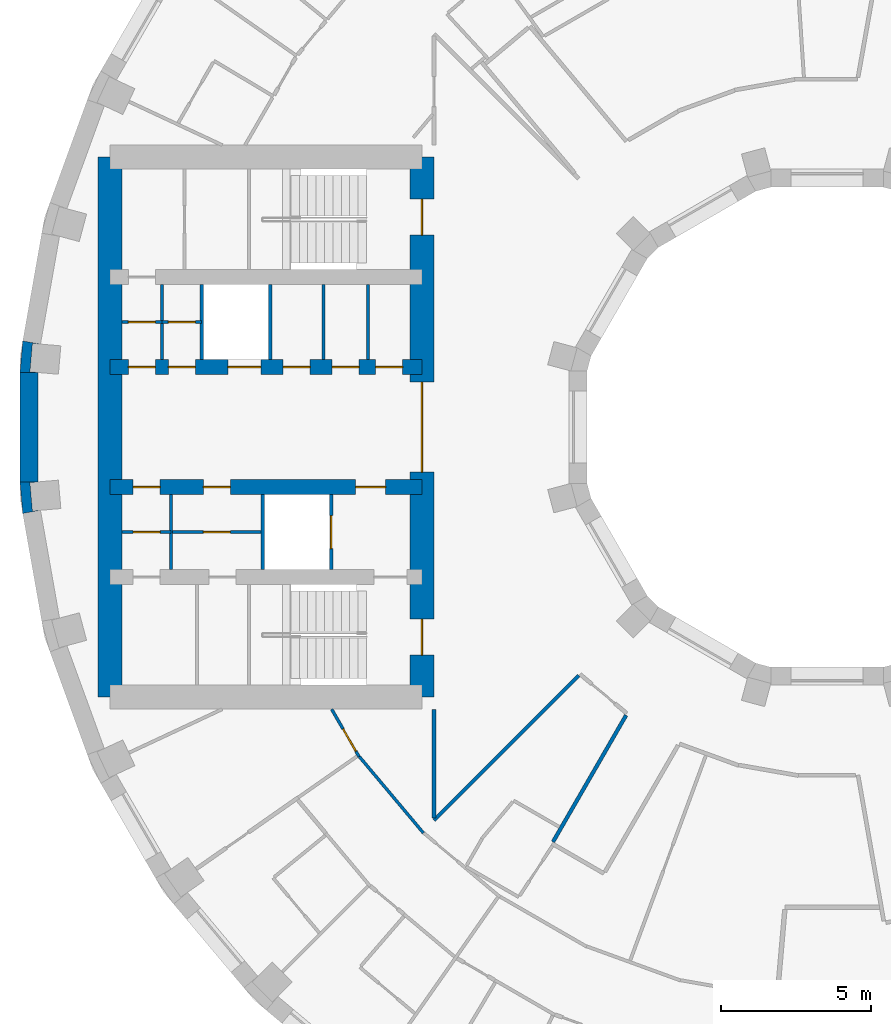
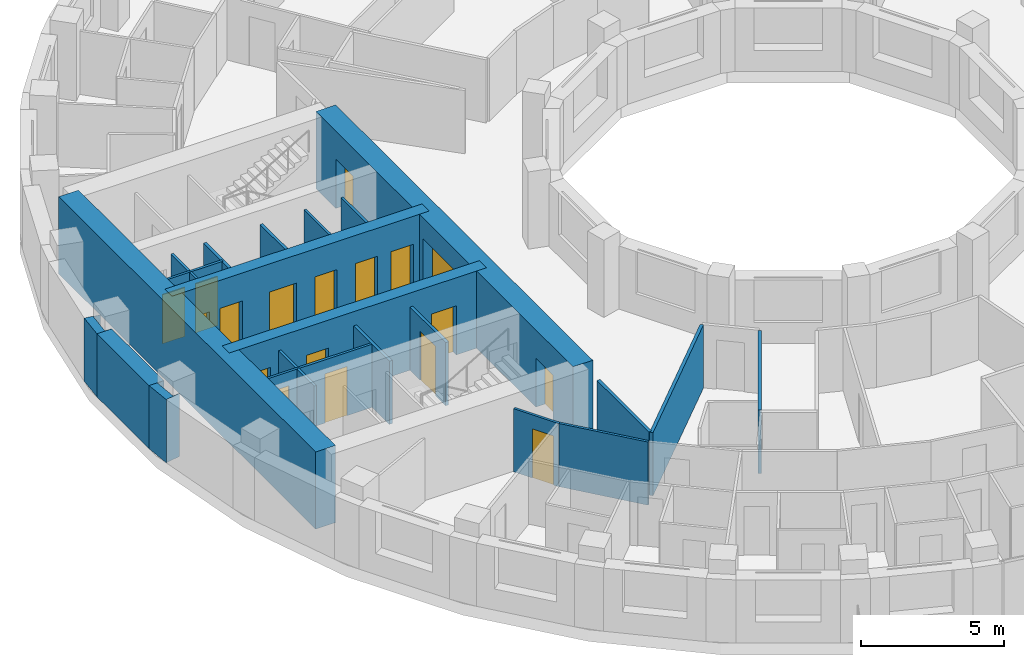
# One storey, part 7 of 16: 24 walls, 18 doors, 18 openings.
"""IFC4 building model written with IfcOpenShell, lengths in metres."""

from ifc_helpers import new_model, si_unit, direction, frame, frame_2d, origin, place, context, subcontext, project, spatial, polyline, rectangle, outline, extrude, material, layer, layer_set, type_object, element, fill, save


model = new_model("IFC4")

# Units and contexts
model_context = context("Model", 3, precision=1e-05, world=origin(), true_north=direction((0.0, 1.0)))
body_context = subcontext(model_context, "Body", "Model", "MODEL_VIEW")
ifc_project = project(units=[si_unit("LENGTHUNIT", "METRE"), si_unit("AREAUNIT", "SQUARE_METRE"), si_unit("VOLUMEUNIT", "CUBIC_METRE"), si_unit("PLANEANGLEUNIT", "RADIAN"), si_unit("MASSUNIT", "GRAM", prefix="KILO")], contexts=[model_context])

# Site, building, storey
site_placement = place(None, origin())
site = spatial("IfcSite", under=ifc_project, at=site_placement, CompositionType="ELEMENT")
building_placement = place(site_placement, origin())
building = spatial("IfcBuilding", under=site, at=building_placement, Name="Saqina Gate Tower", CompositionType="ELEMENT")
storey_placement = place(building_placement, frame((0.0, 0.0, 148.0)))
storey = spatial("IfcBuildingStorey", under=building, at=storey_placement, Name="L42", CompositionType="ELEMENT", Elevation=148.0)

# Walls
ifc_material_1 = material(Name="Brick masonry (buff)", Category="masonry")
wall_type_1 = type_object("IfcWallType", Name="BRICK PIER COPING BUFF", PredefinedType="SOLIDWALL", material=ifc_material_1)
wall_1_placement = place(storey_placement, origin())
element("IfcWall", 1, at=wall_1_placement, inside=storey, type_object=wall_type_1, Name="Pier cap L42 column 18", PredefinedType="SOLIDWALL", context=body_context, shape_type="SweptSolid", body=[
    extrude(outline(polyline([(-26.805419921875, 2.87451171875), (-26.897216796875, 1.823974609375), (-26.29736328125, 1.823974609375), (-26.565185546875, 1.847412109375), (-26.482421875, 2.793701171875), (-26.214599609375, 2.770263671875), (-26.805419921875, 2.87451171875)])), origin(), (0.0, 0.0, 1.0), 2.699951171875),
])
wall_2_placement = place(storey_placement, origin())
element("IfcWall", 2, at=wall_2_placement, inside=storey, type_object=wall_type_1, Name="Pier cap L42 column 19", PredefinedType="SOLIDWALL", context=body_context, shape_type="SweptSolid", body=[
    extrude(outline(polyline([(-26.805419921875, -2.87451171875), (-26.214599609375, -2.770263671875), (-26.482421875, -2.793701171875), (-26.565185546875, -1.847412109375), (-26.29736328125, -1.823974609375), (-26.897216796875, -1.823974609375), (-26.805419921875, -2.87451171875)])), origin(), (0.0, 0.0, 1.0), 2.699951171875),
])
ifc_material_2 = material(Name="Gypsum board on steel studs", Category="steel")
ifc_layer_1 = layer(ifc_material_2, 0.10009765625)
ifc_layer_set_1 = layer_set([ifc_layer_1], Name="CORE PARTITION")
wall_type_2 = type_object("IfcWallType", Name="CORE PARTITION", PredefinedType="PARTITIONING", material=ifc_layer_set_1)
for number, where, z_axis, x_axis, name in (
    (3, (-15.298095703125, 2.25, 0.0), (0.0, 0.0, 1.0), (0.0, 1.0, 0.0), "L42-CP-W01"),
    (4, (-16.789306640625, 2.25, 0.0), (0.0, 0.0, 1.0), (0.0, 1.0, 0.0), "L42-CP-W02"),
    (5, (-22.169921875, 2.25, 0.0), (0.0, 0.0, 1.0), (0.0, 1.0, 0.0), "L42-CP-W05"),
    (6, (-21.8583984375, -4.75, 0.0), (0.0, 0.0, 1.0), (0.0, 1.0, 0.0), "L42-CP-W08"),
):
    element("IfcWall", number, at=place(storey_placement, frame(where, z_axis=z_axis, x_axis=x_axis)), inside=storey, type_object=wall_type_2, Name=name, PredefinedType="PARTITIONING", context=body_context, shape_type="SweptSolid", body=[
        extrude(rectangle(XDim=2.5, YDim=0.10009765625, at=frame_2d((1.25, 0.0))), origin(), (0.0, 0.0, 1.0), 2.699951171875),
    ])

# Wall, opening, door
wall_3_placement = place(storey_placement, frame((-20.840087890625, 3.5, 0.0), z_axis=(0.0, 0.0, 1.0), x_axis=(-1.0, 0.0, 0.0)))
wall_3 = element("IfcWall", 7, at=wall_3_placement, inside=storey, type_object=wall_type_2, Name="L42-CP-W09", PredefinedType="PARTITIONING", context=body_context, shape_type="SweptSolid", body=[
    extrude(rectangle(XDim=1.329833984375, YDim=0.10009765625, at=frame_2d((0.6650390625, 0.0))), origin(), (0.0, 0.0, 1.0), 2.699951171875),
])
opening_1_placement = place(wall_3_placement, frame((0.215087890625, 0.0, 0.0)))
opening_1 = element("IfcOpeningElement", 8, at=opening_1_placement, cuts=wall_3, Name="Opening G12-D119", PredefinedType="OPENING", context=body_context, shape_type="SweptSolid", body=[
    extrude(rectangle(XDim=0.89990234375, YDim=2.10009765625, at=frame_2d((0.449951171875, 1.050048828125))), frame((0.0, 0.06201171875, 0.0), z_axis=(0.0, -1.0, 0.0), x_axis=(1.0, 0.0, 0.0)), (0.0, 0.0, 1.0), 0.1240234375),
])
ifc_material_3 = material(Name="Steel-framed fire door leaf, EI 60", Category="steel")
door_type_1 = type_object("IfcDoorType", Name="SERVICE ROOM DOOR 900", OperationType="SINGLE_SWING_LEFT", PredefinedType="DOOR", material=ifc_material_3)
door_1_placement = place(opening_1_placement, frame((0.89990234375, 0.0, 0.0), z_axis=(0.0, 0.0, 1.0), x_axis=(-1.0, 0.0, 0.0)))
door_1 = element("IfcDoor", 9, at=door_1_placement, inside=storey, type_object=door_type_1, Name="L42-CD-W30", OperationType="SINGLE_SWING_RIGHT", OverallHeight=2.10009765625, OverallWidth=0.89990234375, PredefinedType="DOOR", context=body_context, shape_type="SweptSolid", body=[
    extrude(rectangle(XDim=0.89990234375, YDim=2.10009765625, at=frame_2d((0.449951171875, 1.050048828125))), frame((0.0, 0.02490234375, 0.0), z_axis=(0.0, -1.0, 0.0), x_axis=(1.0, 0.0, 0.0)), (0.0, 0.0, 1.0), 0.050048828125),
])
fill(opening_1, door_1)

wall_4_placement = place(storey_placement, frame((-22.169921875, 3.5, 0.0), z_axis=(0.0, 0.0, 1.0), x_axis=(-1.0, 0.0, 0.0)))
wall_4 = element("IfcWall", 10, at=wall_4_placement, inside=storey, type_object=wall_type_2, Name="L42-CP-W10", PredefinedType="PARTITIONING", context=body_context, shape_type="SweptSolid", body=[
    extrude(rectangle(XDim=1.330078125, YDim=0.10009765625, at=frame_2d((0.6650390625, 0.0))), origin(), (0.0, 0.0, 1.0), 2.699951171875),
])
opening_2_placement = place(wall_4_placement, frame((0.215087890625, 0.0, 0.0)))
opening_2 = element("IfcOpeningElement", 11, at=opening_2_placement, cuts=wall_4, Name="Opening G12-D118", PredefinedType="OPENING", context=body_context, shape_type="SweptSolid", body=[
    extrude(rectangle(XDim=0.89990234375, YDim=2.10009765625, at=frame_2d((0.449951171875, 1.050048828125))), frame((0.0, 0.06201171875, 0.0), z_axis=(0.0, -1.0, 0.0), x_axis=(1.0, 0.0, 0.0)), (0.0, 0.0, 1.0), 0.1240234375),
])
door_2_placement = place(opening_2_placement, frame((0.89990234375, 0.0, 0.0), z_axis=(0.0, 0.0, 1.0), x_axis=(-1.0, 0.0, 0.0)))
door_2 = element("IfcDoor", 12, at=door_2_placement, inside=storey, type_object=door_type_1, Name="L42-CD-W29", OperationType="SINGLE_SWING_LEFT", OverallHeight=2.10009765625, OverallWidth=0.89990234375, PredefinedType="DOOR", context=body_context, shape_type="SweptSolid", body=[
    extrude(rectangle(XDim=0.89990234375, YDim=2.10009765625, at=frame_2d((0.449951171875, 1.050048828125))), frame((0.0, 0.02490234375, 0.0), z_axis=(0.0, -1.0, 0.0), x_axis=(1.0, 0.0, 0.0)), (0.0, 0.0, 1.0), 0.050048828125),
])
fill(opening_2, door_2)

wall_5_placement = place(storey_placement, frame((-18.81005859375, -3.5, 0.0), z_axis=(0.0, 0.0, 1.0), x_axis=(-1.0, 0.0, 0.0)))
wall_5 = element("IfcWall", 13, at=wall_5_placement, inside=storey, type_object=wall_type_2, Name="L42-CP-W11", PredefinedType="PARTITIONING", context=body_context, shape_type="SweptSolid", body=[
    extrude(rectangle(XDim=3.04833984375, YDim=0.10009765625, at=frame_2d((1.524169921875, 0.0))), origin(), (0.0, 0.0, 1.0), 2.699951171875),
])
opening_3_placement = place(wall_5_placement, frame((1.07421875, 0.0, 0.0)))
opening_3 = element("IfcOpeningElement", 14, at=opening_3_placement, cuts=wall_5, Name="Opening G12-D123", PredefinedType="OPENING", context=body_context, shape_type="SweptSolid", body=[
    extrude(rectangle(XDim=0.89990234375, YDim=2.10009765625, at=frame_2d((0.449951171875, 1.050048828125))), frame((0.0, 0.06201171875, 0.0), z_axis=(0.0, -1.0, 0.0), x_axis=(1.0, 0.0, 0.0)), (0.0, 0.0, 1.0), 0.1240234375),
])
door_3_placement = place(opening_3_placement, origin())
door_3 = element("IfcDoor", 15, at=door_3_placement, inside=storey, type_object=door_type_1, Name="L42-CD-W34", OperationType="SINGLE_SWING_LEFT", OverallHeight=2.10009765625, OverallWidth=0.89990234375, PredefinedType="DOOR", context=body_context, shape_type="SweptSolid", body=[
    extrude(rectangle(XDim=0.89990234375, YDim=2.10009765625, at=frame_2d((0.449951171875, 1.050048828125))), frame((0.0, 0.02490234375, 0.0), z_axis=(0.0, -1.0, 0.0), x_axis=(1.0, 0.0, 0.0)), (0.0, 0.0, 1.0), 0.050048828125),
])
fill(opening_3, door_3)

wall_6_placement = place(storey_placement, frame((-21.8583984375, -3.5, 0.0), z_axis=(0.0, 0.0, 1.0), x_axis=(-1.0, 0.0, 0.0)))
wall_6 = element("IfcWall", 16, at=wall_6_placement, inside=storey, type_object=wall_type_2, Name="L42-CP-W12", PredefinedType="PARTITIONING", context=body_context, shape_type="SweptSolid", body=[
    extrude(rectangle(XDim=1.6416015625, YDim=0.10009765625, at=frame_2d((0.82080078125, 0.0))), origin(), (0.0, 0.0, 1.0), 2.699951171875),
])
opening_4_placement = place(wall_6_placement, frame((0.370849609375, 0.0, 0.0)))
opening_4 = element("IfcOpeningElement", 17, at=opening_4_placement, cuts=wall_6, Name="Opening G12-D122", PredefinedType="OPENING", context=body_context, shape_type="SweptSolid", body=[
    extrude(rectangle(XDim=0.89990234375, YDim=2.10009765625, at=frame_2d((0.449951171875, 1.050048828125))), frame((0.0, 0.06201171875, 0.0), z_axis=(0.0, -1.0, 0.0), x_axis=(1.0, 0.0, 0.0)), (0.0, 0.0, 1.0), 0.1240234375),
])
door_4_placement = place(opening_4_placement, origin())
door_4 = element("IfcDoor", 18, at=door_4_placement, inside=storey, type_object=door_type_1, Name="L42-CD-W33", OperationType="SINGLE_SWING_RIGHT", OverallHeight=2.10009765625, OverallWidth=0.89990234375, PredefinedType="DOOR", context=body_context, shape_type="SweptSolid", body=[
    extrude(rectangle(XDim=0.89990234375, YDim=2.10009765625, at=frame_2d((0.449951171875, 1.050048828125))), frame((0.0, 0.02490234375, 0.0), z_axis=(0.0, -1.0, 0.0), x_axis=(1.0, 0.0, 0.0)), (0.0, 0.0, 1.0), 0.050048828125),
])
fill(opening_4, door_4)

# Wall
ifc_material_4 = material(Name="Glazed ceramic tile (white)", Category="ceramic")
ifc_layer_2 = layer(ifc_material_4, 0.60009765625)
ifc_layer_set_2 = layer_set([ifc_layer_2], Name="FW-TILE-WH")
wall_type_3 = type_object("IfcWallType", Name="FW-TILE-WH", PredefinedType="SOLIDWALL", material=ifc_layer_set_2)
wall_7_placement = place(storey_placement, frame((-26.59716796875, 1.823974609375, 0.0), z_axis=(0.0, 0.0, 1.0), x_axis=(0.0, -1.0, 0.0)))
element("IfcWall", 19, at=wall_7_placement, inside=storey, type_object=wall_type_3, Name="Facade wall L42 facet 18", PredefinedType="SOLIDWALL", context=body_context, shape_type="SweptSolid", body=[
    extrude(rectangle(XDim=3.64794921875, YDim=0.60009765625, at=frame_2d((1.823974609375, 0.0))), origin(), (0.0, 0.0, 1.0), 2.699951171875),
])

# Wall, opening, door
ifc_material_5 = material(Name="Gypsum board on steel studs, 100 mm", Category="steel")
ifc_layer_3 = layer(ifc_material_5, 0.10009765625)
ifc_layer_set_3 = layer_set([ifc_layer_3], Name="PARTITION 100")
wall_type_4 = type_object("IfcWallType", Name="PARTITION 100", PredefinedType="PARTITIONING", material=ifc_layer_set_3)
wall_8_placement = place(storey_placement, frame((-16.510009765625, -9.39990234375, 0.0), z_axis=(0.0, 0.0, 1.0), x_axis=(0.499745582535, -0.866172241957, 0.0)))
wall_8 = element("IfcWall", 20, at=wall_8_placement, inside=storey, type_object=wall_type_4, Name="PARTITION PW3-11", PredefinedType="PARTITIONING", context=body_context, shape_type="SweptSolid", body=[
    extrude(rectangle(XDim=1.82763671875, YDim=0.10009765625, at=frame_2d((0.913818359375, 0.0))), origin(), (0.0, 0.0, 1.0), 2.699951171875),
])
opening_5_placement = place(wall_8_placement, frame((0.763427734375, 0.0, 0.0)))
opening_5 = element("IfcOpeningElement", 21, at=opening_5_placement, cuts=wall_8, Name="Opening G12-D32", PredefinedType="OPENING", context=body_context, shape_type="SweptSolid", body=[
    extrude(rectangle(XDim=0.85009765625, YDim=2.10009765625, at=frame_2d((0.425048828125, 1.050048828125))), frame((0.0, 0.06201171875, 0.0), z_axis=(0.0, -1.0, 0.0), x_axis=(1.0, 0.0, 0.0)), (0.0, 0.0, 1.0), 0.1240234375),
])
ifc_material_6 = material(Name="Timber door leaf, 850 mm", Category="wood")
door_type_2 = type_object("IfcDoorType", Name="DOOR 850 TIMBER", OperationType="SINGLE_SWING_LEFT", PredefinedType="DOOR", material=ifc_material_6)
door_5_placement = place(opening_5_placement, origin())
door_5 = element("IfcDoor", 22, at=door_5_placement, inside=storey, type_object=door_type_2, Name="DOOR G12-D32", OperationType="SINGLE_SWING_LEFT", OverallHeight=2.10009765625, OverallWidth=0.85009765625, PredefinedType="DOOR", context=body_context, shape_type="SweptSolid", body=[
    extrude(rectangle(XDim=0.85009765625, YDim=2.10009765625, at=frame_2d((0.425048828125, 1.050048828125))), frame((0.0, 0.02490234375, 0.0), z_axis=(0.0, -1.0, 0.0), x_axis=(1.0, 0.0, 0.0)), (0.0, 0.0, 1.0), 0.050048828125),
])
fill(opening_5, door_5)

# Walls
wall_9_placement = place(storey_placement, frame((-15.58984375, -10.977294921875, 0.0), z_axis=(0.0, 0.0, 1.0), x_axis=(0.642888943472, -0.765959402554, 0.0)))
element("IfcWall", 23, at=wall_9_placement, inside=storey, type_object=wall_type_4, Name="PARTITION PW3-18", PredefinedType="PARTITIONING", context=body_context, shape_type="SweptSolid", body=[
    extrude(rectangle(XDim=3.32470703125, YDim=0.10009765625, at=frame_2d((1.662353515625, 0.0))), origin(), (0.0, 0.0, 1.0), 2.699951171875),
])
ifc_material_7 = material(Name="Gypsum board on steel studs, 125 mm, fire rated", Category="steel")
ifc_layer_4 = layer(ifc_material_7, 0.125)
ifc_layer_set_4 = layer_set([ifc_layer_4], Name="PARTITION EI 30 125")
wall_type_5 = type_object("IfcWallType", Name="PARTITION EI 30 125", PredefinedType="PARTITIONING", material=ifc_layer_set_4)
wall_10_placement = place(storey_placement, frame((-13.097412109375, -13.096435546875, 0.0), z_axis=(0.0, 0.0, 1.0), x_axis=(0.707375421738, 0.706838038536, 0.0)))
element("IfcWall", 24, at=wall_10_placement, inside=storey, type_object=wall_type_5, Name="PARTITION PW1-48", PredefinedType="PARTITIONING", context=body_context, shape_type="SweptSolid", body=[
    extrude(rectangle(XDim=6.814697265625, YDim=0.125, at=frame_2d((3.4072265625, 0.0))), origin(), (0.0, 0.0, 1.0), 2.699951171875),
])
wall_11_placement = place(storey_placement, frame((-9.134765625, -13.82177734375, 0.0), z_axis=(0.0, 0.0, 1.0), x_axis=(0.500017246033, 0.866015446554, 0.0)))
element("IfcWall", 25, at=wall_11_placement, inside=storey, type_object=wall_type_5, Name="PARTITION PW1-54", PredefinedType="PARTITIONING", context=body_context, shape_type="SweptSolid", body=[
    extrude(rectangle(XDim=4.874755859375, YDim=0.125, at=frame_2d((2.4375, 0.0))), origin(), (0.0, 0.0, 1.0), 2.699951171875),
])
wall_12_placement = place(storey_placement, frame((-13.10009765625, -13.032470703125, 0.0), z_axis=(0.0, 0.0, 1.0), x_axis=(0.0, 1.0, 0.0)))
element("IfcWall", 26, at=wall_12_placement, inside=storey, type_object=wall_type_5, Name="PARTITION PW1-61", PredefinedType="PARTITIONING", context=body_context, shape_type="SweptSolid", body=[
    extrude(rectangle(XDim=3.631591796875, YDim=0.125, at=frame_2d((1.81591796875, 0.0))), origin(), (0.0, 0.0, 1.0), 2.699951171875),
])
ifc_material_8 = material(Name="Autoclaved aerated concrete block", Category="concrete")
ifc_layer_5 = layer(ifc_material_8, 0.1201171875)
ifc_layer_set_5 = layer_set([ifc_layer_5], Name="SHAFT PARTITION")
wall_type_6 = type_object("IfcWallType", Name="SHAFT PARTITION", PredefinedType="PARTITIONING", material=ifc_layer_set_5)
for number, where, z_axis, x_axis, name in (
    (27, (-18.56005859375, 2.25, 0.0), (0.0, 0.0, 1.0), (0.0, 1.0, 0.0), "L42-CP-W03"),
    (28, (-20.840087890625, 2.25, 0.0), (0.0, 0.0, 1.0), (0.0, 1.0, 0.0), "L42-CP-W04"),
):
    element("IfcWall", number, at=place(storey_placement, frame(where, z_axis=z_axis, x_axis=x_axis)), inside=storey, type_object=wall_type_6, Name=name, PredefinedType="PARTITIONING", context=body_context, shape_type="SweptSolid", body=[
        extrude(rectangle(XDim=2.5, YDim=0.1201171875, at=frame_2d((1.25, 0.0))), origin(), (0.0, 0.0, 1.0), 2.699951171875),
    ])

# Wall, opening, door
wall_13_placement = place(storey_placement, frame((-16.530029296875, -4.75, 0.0), z_axis=(0.0, 0.0, 1.0), x_axis=(0.0, 1.0, 0.0)))
wall_13 = element("IfcWall", 29, at=wall_13_placement, inside=storey, type_object=wall_type_6, Name="L42-CP-W06", PredefinedType="PARTITIONING", context=body_context, shape_type="SweptSolid", body=[
    extrude(rectangle(XDim=2.5, YDim=0.1201171875, at=frame_2d((1.25, 0.0))), origin(), (0.0, 0.0, 1.0), 2.699951171875),
])
opening_6_placement = place(wall_13_placement, frame((0.699951171875, 0.0, 0.0)))
opening_6 = element("IfcOpeningElement", 30, at=opening_6_placement, cuts=wall_13, Name="Opening G12-LD4", PredefinedType="OPENING", context=body_context, shape_type="SweptSolid", body=[
    extrude(rectangle(XDim=1.10009765625, YDim=2.10009765625, at=frame_2d((0.550048828125, 1.050048828125))), frame((0.0, 0.072021484375, 0.0), z_axis=(0.0, -1.0, 0.0), x_axis=(1.0, 0.0, 0.0)), (0.0, 0.0, 1.0), 0.14404296875),
])
ifc_material_9 = material(Name="Stainless steel", Category="steel")
door_type_3 = type_object("IfcDoorType", Name="LANDING DOOR", OperationType="DOUBLE_DOOR_SLIDING", PredefinedType="DOOR", material=ifc_material_9)
door_6_placement = place(opening_6_placement, origin())
door_6 = element("IfcDoor", 31, at=door_6_placement, inside=storey, type_object=door_type_3, Name="LANDING DOOR FF2", OperationType="DOUBLE_DOOR_SLIDING", OverallHeight=2.10009765625, OverallWidth=1.10009765625, PredefinedType="DOOR", context=body_context, shape_type="SweptSolid", body=[
    extrude(rectangle(XDim=1.10009765625, YDim=2.10009765625, at=frame_2d((0.550048828125, 1.050048828125))), frame((0.0, 0.02490234375, 0.0), z_axis=(0.0, -1.0, 0.0), x_axis=(1.0, 0.0, 0.0)), (0.0, 0.0, 1.0), 0.050048828125),
])
fill(opening_6, door_6)

# Wall
wall_14_placement = place(storey_placement, frame((-18.81005859375, -4.75, 0.0), z_axis=(0.0, 0.0, 1.0), x_axis=(0.0, 1.0, 0.0)))
element("IfcWall", 32, at=wall_14_placement, inside=storey, type_object=wall_type_6, Name="L42-CP-W07", PredefinedType="PARTITIONING", context=body_context, shape_type="SweptSolid", body=[
    extrude(rectangle(XDim=2.5, YDim=0.1201171875, at=frame_2d((1.25, 0.0))), origin(), (0.0, 0.0, 1.0), 2.699951171875),
])

# Wall, openings, doors
ifc_material_10 = material(Name="Concrete C70/85", Category="concrete")
ifc_layer_6 = layer(ifc_material_10, 0.5)
ifc_layer_set_6 = layer_set([ifc_layer_6], Name="Concrete C70/85")
wall_type_7 = type_object("IfcWallType", Name="STR-CORE WALL-B-I", PredefinedType="SHEAR", material=ifc_layer_set_6)
wall_15_placement = place(storey_placement, frame((-13.5, 2.0, 0.0), z_axis=(0.0, 0.0, 1.0), x_axis=(-1.0, 0.0, 0.0)))
wall_15 = element("IfcWall", 33, at=wall_15_placement, inside=storey, type_object=wall_type_7, Name="CORE WALL L42 W-L1", PredefinedType="SHEAR", context=body_context, shape_type="SweptSolid", body=[
    extrude(rectangle(XDim=10.39990234375, YDim=0.5, at=frame_2d((5.199951171875, 0.0))), origin(), (0.0, 0.0, 1.0), 3.300048828125),
])
opening_7_placement = place(wall_15_placement, frame((5.3701171875, 0.0, 0.0)))
opening_7 = element("IfcOpeningElement", 34, at=opening_7_placement, cuts=wall_15, Name="Opening G12-LD3", PredefinedType="OPENING", context=body_context, shape_type="SweptSolid", body=[
    extrude(rectangle(XDim=1.10009765625, YDim=2.10009765625, at=frame_2d((0.550048828125, 1.050048828125))), frame((0.0, 0.261962890625, 0.0), z_axis=(0.0, -1.0, 0.0), x_axis=(1.0, 0.0, 0.0)), (0.0, 0.0, 1.0), 0.52392578125),
])
opening_8_placement = place(wall_15_placement, frame((0.64892578125, 0.0, 0.0)))
opening_8 = element("IfcOpeningElement", 35, at=opening_8_placement, cuts=wall_15, Name="Opening G12-D110", PredefinedType="OPENING", context=body_context, shape_type="SweptSolid", body=[
    extrude(rectangle(XDim=0.89990234375, YDim=2.10009765625, at=frame_2d((0.449951171875, 1.050048828125))), frame((0.0, 0.261962890625, 0.0), z_axis=(0.0, -1.0, 0.0), x_axis=(1.0, 0.0, 0.0)), (0.0, 0.0, 1.0), 0.52392578125),
])
opening_9_placement = place(wall_15_placement, frame((2.093505859375, 0.0, 0.0)))
opening_9 = element("IfcOpeningElement", 36, at=opening_9_placement, cuts=wall_15, Name="Opening G12-D111", PredefinedType="OPENING", context=body_context, shape_type="SweptSolid", body=[
    extrude(rectangle(XDim=0.89990234375, YDim=2.10009765625, at=frame_2d((0.449951171875, 1.050048828125))), frame((0.0, 0.261962890625, 0.0), z_axis=(0.0, -1.0, 0.0), x_axis=(1.0, 0.0, 0.0)), (0.0, 0.0, 1.0), 0.52392578125),
])
opening_10_placement = place(wall_15_placement, frame((3.724609375, 0.0, 0.0)))
opening_10 = element("IfcOpeningElement", 37, at=opening_10_placement, cuts=wall_15, Name="Opening G12-D112", PredefinedType="OPENING", context=body_context, shape_type="SweptSolid", body=[
    extrude(rectangle(XDim=0.89990234375, YDim=2.10009765625, at=frame_2d((0.449951171875, 1.050048828125))), frame((0.0, 0.261962890625, 0.0), z_axis=(0.0, -1.0, 0.0), x_axis=(1.0, 0.0, 0.0)), (0.0, 0.0, 1.0), 0.52392578125),
])
opening_11_placement = place(wall_15_placement, frame((7.554931640625, 0.0, 0.0)))
opening_11 = element("IfcOpeningElement", 38, at=opening_11_placement, cuts=wall_15, Name="Opening G12-D113", PredefinedType="OPENING", context=body_context, shape_type="SweptSolid", body=[
    extrude(rectangle(XDim=0.89990234375, YDim=2.10009765625, at=frame_2d((0.449951171875, 1.050048828125))), frame((0.0, 0.261962890625, 0.0), z_axis=(0.0, -1.0, 0.0), x_axis=(1.0, 0.0, 0.0)), (0.0, 0.0, 1.0), 0.52392578125),
])
opening_12_placement = place(wall_15_placement, frame((8.885009765625, 0.0, 0.0)))
opening_12 = element("IfcOpeningElement", 39, at=opening_12_placement, cuts=wall_15, Name="Opening G12-D114", PredefinedType="OPENING", context=body_context, shape_type="SweptSolid", body=[
    extrude(rectangle(XDim=0.89990234375, YDim=2.10009765625, at=frame_2d((0.449951171875, 1.050048828125))), frame((0.0, 0.261962890625, 0.0), z_axis=(0.0, -1.0, 0.0), x_axis=(1.0, 0.0, 0.0)), (0.0, 0.0, 1.0), 0.52392578125),
])
door_7_placement = place(opening_7_placement, origin())
door_7 = element("IfcDoor", 40, at=door_7_placement, inside=storey, type_object=door_type_3, Name="LANDING DOOR MR2", OperationType="DOUBLE_DOOR_SLIDING", OverallHeight=2.10009765625, OverallWidth=1.10009765625, PredefinedType="DOOR", context=body_context, shape_type="SweptSolid", body=[
    extrude(rectangle(XDim=1.10009765625, YDim=2.10009765625, at=frame_2d((0.550048828125, 1.050048828125))), frame((0.0, 0.02490234375, 0.0), z_axis=(0.0, -1.0, 0.0), x_axis=(1.0, 0.0, 0.0)), (0.0, 0.0, 1.0), 0.050048828125),
])
fill(opening_7, door_7)
door_8_placement = place(opening_8_placement, frame((0.89990234375, 0.0, 0.0), z_axis=(0.0, 0.0, 1.0), x_axis=(-1.0, 0.0, 0.0)))
door_8 = element("IfcDoor", 41, at=door_8_placement, inside=storey, type_object=door_type_1, Name="L42-CD-W21", OperationType="SINGLE_SWING_RIGHT", OverallHeight=2.10009765625, OverallWidth=0.89990234375, PredefinedType="DOOR", context=body_context, shape_type="SweptSolid", body=[
    extrude(rectangle(XDim=0.89990234375, YDim=2.10009765625, at=frame_2d((0.449951171875, 1.050048828125))), frame((0.0, 0.02490234375, 0.0), z_axis=(0.0, -1.0, 0.0), x_axis=(1.0, 0.0, 0.0)), (0.0, 0.0, 1.0), 0.050048828125),
])
fill(opening_8, door_8)
door_9_placement = place(opening_9_placement, frame((0.89990234375, 0.0, 0.0), z_axis=(0.0, 0.0, 1.0), x_axis=(-1.0, 0.0, 0.0)))
door_9 = element("IfcDoor", 42, at=door_9_placement, inside=storey, type_object=door_type_1, Name="L42-CD-W22", OperationType="SINGLE_SWING_RIGHT", OverallHeight=2.10009765625, OverallWidth=0.89990234375, PredefinedType="DOOR", context=body_context, shape_type="SweptSolid", body=[
    extrude(rectangle(XDim=0.89990234375, YDim=2.10009765625, at=frame_2d((0.449951171875, 1.050048828125))), frame((0.0, 0.02490234375, 0.0), z_axis=(0.0, -1.0, 0.0), x_axis=(1.0, 0.0, 0.0)), (0.0, 0.0, 1.0), 0.050048828125),
])
fill(opening_9, door_9)
door_10_placement = place(opening_10_placement, frame((0.89990234375, 0.0, 0.0), z_axis=(0.0, 0.0, 1.0), x_axis=(-1.0, 0.0, 0.0)))
door_10 = element("IfcDoor", 43, at=door_10_placement, inside=storey, type_object=door_type_1, Name="L42-CD-W23", OperationType="SINGLE_SWING_LEFT", OverallHeight=2.10009765625, OverallWidth=0.89990234375, PredefinedType="DOOR", context=body_context, shape_type="SweptSolid", body=[
    extrude(rectangle(XDim=0.89990234375, YDim=2.10009765625, at=frame_2d((0.449951171875, 1.050048828125))), frame((0.0, 0.02490234375, 0.0), z_axis=(0.0, -1.0, 0.0), x_axis=(1.0, 0.0, 0.0)), (0.0, 0.0, 1.0), 0.050048828125),
])
fill(opening_10, door_10)
door_11_placement = place(opening_11_placement, frame((0.89990234375, 0.0, 0.0), z_axis=(0.0, 0.0, 1.0), x_axis=(-1.0, 0.0, 0.0)))
door_11 = element("IfcDoor", 44, at=door_11_placement, inside=storey, type_object=door_type_1, Name="L42-CD-W24", OperationType="SINGLE_SWING_RIGHT", OverallHeight=2.10009765625, OverallWidth=0.89990234375, PredefinedType="DOOR", context=body_context, shape_type="SweptSolid", body=[
    extrude(rectangle(XDim=0.89990234375, YDim=2.10009765625, at=frame_2d((0.449951171875, 1.050048828125))), frame((0.0, 0.02490234375, 0.0), z_axis=(0.0, -1.0, 0.0), x_axis=(1.0, 0.0, 0.0)), (0.0, 0.0, 1.0), 0.050048828125),
])
fill(opening_11, door_11)
door_12_placement = place(opening_12_placement, frame((0.89990234375, 0.0, 0.0), z_axis=(0.0, 0.0, 1.0), x_axis=(-1.0, 0.0, 0.0)))
door_12 = element("IfcDoor", 45, at=door_12_placement, inside=storey, type_object=door_type_1, Name="L42-CD-W25", OperationType="SINGLE_SWING_LEFT", OverallHeight=2.10009765625, OverallWidth=0.89990234375, PredefinedType="DOOR", context=body_context, shape_type="SweptSolid", body=[
    extrude(rectangle(XDim=0.89990234375, YDim=2.10009765625, at=frame_2d((0.449951171875, 1.050048828125))), frame((0.0, 0.02490234375, 0.0), z_axis=(0.0, -1.0, 0.0), x_axis=(1.0, 0.0, 0.0)), (0.0, 0.0, 1.0), 0.050048828125),
])
fill(opening_12, door_12)

wall_16_placement = place(storey_placement, frame((-13.5, -2.0, 0.0), z_axis=(0.0, 0.0, 1.0), x_axis=(-1.0, 0.0, 0.0)))
wall_16 = element("IfcWall", 46, at=wall_16_placement, inside=storey, type_object=wall_type_7, Name="CORE WALL L42 W-L2", PredefinedType="SHEAR", context=body_context, shape_type="SweptSolid", body=[
    extrude(rectangle(XDim=10.39990234375, YDim=0.5, at=frame_2d((5.199951171875, 0.0))), origin(), (0.0, 0.0, 1.0), 3.300048828125),
])
opening_13_placement = place(wall_16_placement, frame((1.215087890625, 0.0, 0.0)))
opening_13 = element("IfcOpeningElement", 47, at=opening_13_placement, cuts=wall_16, Name="Opening G12-D115", PredefinedType="OPENING", context=body_context, shape_type="SweptSolid", body=[
    extrude(rectangle(XDim=1.0, YDim=2.10009765625, at=frame_2d((0.5, 1.050048828125))), frame((0.0, 0.261962890625, 0.0), z_axis=(0.0, -1.0, 0.0), x_axis=(1.0, 0.0, 0.0)), (0.0, 0.0, 1.0), 0.52392578125),
])
opening_14_placement = place(wall_16_placement, frame((6.38427734375, 0.0, 0.0)))
opening_14 = element("IfcOpeningElement", 48, at=opening_14_placement, cuts=wall_16, Name="Opening G12-D116", PredefinedType="OPENING", context=body_context, shape_type="SweptSolid", body=[
    extrude(rectangle(XDim=0.89990234375, YDim=2.10009765625, at=frame_2d((0.449951171875, 1.050048828125))), frame((0.0, 0.261962890625, 0.0), z_axis=(0.0, -1.0, 0.0), x_axis=(1.0, 0.0, 0.0)), (0.0, 0.0, 1.0), 0.52392578125),
])
opening_15_placement = place(wall_16_placement, frame((8.729248046875, 0.0, 0.0)))
opening_15 = element("IfcOpeningElement", 49, at=opening_15_placement, cuts=wall_16, Name="Opening G12-D117", PredefinedType="OPENING", context=body_context, shape_type="SweptSolid", body=[
    extrude(rectangle(XDim=0.89990234375, YDim=2.10009765625, at=frame_2d((0.449951171875, 1.050048828125))), frame((0.0, 0.261962890625, 0.0), z_axis=(0.0, -1.0, 0.0), x_axis=(1.0, 0.0, 0.0)), (0.0, 0.0, 1.0), 0.52392578125),
])
ifc_material_11 = material(Name="Steel", Category="steel")
door_type_4 = type_object("IfcDoorType", Name="FIRE LOBBY DOOR EI 60", OperationType="SINGLE_SWING_LEFT", PredefinedType="DOOR", material=ifc_material_11)
door_13_placement = place(opening_13_placement, frame((1.0, 0.0, 0.0), z_axis=(0.0, 0.0, 1.0), x_axis=(-1.0, 0.0, 0.0)))
door_13 = element("IfcDoor", 50, at=door_13_placement, inside=storey, type_object=door_type_4, Name="L42-CD-W26", OperationType="SINGLE_SWING_RIGHT", OverallHeight=2.10009765625, OverallWidth=1.0, PredefinedType="DOOR", context=body_context, shape_type="SweptSolid", body=[
    extrude(rectangle(XDim=1.0, YDim=2.10009765625, at=frame_2d((0.5, 1.050048828125))), frame((0.0, 0.02490234375, 0.0), z_axis=(0.0, -1.0, 0.0), x_axis=(1.0, 0.0, 0.0)), (0.0, 0.0, 1.0), 0.050048828125),
])
fill(opening_13, door_13)
door_14_placement = place(opening_14_placement, origin())
door_14 = element("IfcDoor", 51, at=door_14_placement, inside=storey, type_object=door_type_1, Name="L42-CD-W27", OperationType="SINGLE_SWING_RIGHT", OverallHeight=2.10009765625, OverallWidth=0.89990234375, PredefinedType="DOOR", context=body_context, shape_type="SweptSolid", body=[
    extrude(rectangle(XDim=0.89990234375, YDim=2.10009765625, at=frame_2d((0.449951171875, 1.050048828125))), frame((0.0, 0.02490234375, 0.0), z_axis=(0.0, -1.0, 0.0), x_axis=(1.0, 0.0, 0.0)), (0.0, 0.0, 1.0), 0.050048828125),
])
fill(opening_14, door_14)
door_15_placement = place(opening_15_placement, origin())
door_15 = element("IfcDoor", 52, at=door_15_placement, inside=storey, type_object=door_type_1, Name="L42-CD-W28", OperationType="SINGLE_SWING_RIGHT", OverallHeight=2.10009765625, OverallWidth=0.89990234375, PredefinedType="DOOR", context=body_context, shape_type="SweptSolid", body=[
    extrude(rectangle(XDim=0.89990234375, YDim=2.10009765625, at=frame_2d((0.449951171875, 1.050048828125))), frame((0.0, 0.02490234375, 0.0), z_axis=(0.0, -1.0, 0.0), x_axis=(1.0, 0.0, 0.0)), (0.0, 0.0, 1.0), 0.050048828125),
])
fill(opening_15, door_15)

ifc_material_12 = material(Name="Concrete C70/85", Category="concrete")
ifc_layer_7 = layer(ifc_material_12, 0.800048828125)
ifc_layer_set_7 = layer_set([ifc_layer_7], Name="Concrete C70/85")
wall_type_8 = type_object("IfcWallType", Name="STR-CORE WALL-B-O", PredefinedType="SHEAR", material=ifc_layer_set_7)
wall_17_placement = place(storey_placement, frame((-13.5, -9.0, 0.0), z_axis=(0.0, 0.0, 1.0), x_axis=(0.0, 1.0, 0.0)))
wall_17 = element("IfcWall", 53, at=wall_17_placement, inside=storey, type_object=wall_type_8, Name="CORE WALL L42 W-W1", PredefinedType="SHEAR", context=body_context, shape_type="SweptSolid", body=[
    extrude(rectangle(XDim=18.0, YDim=0.800048828125, at=frame_2d((9.0, 0.0))), origin(), (0.0, 0.0, 1.0), 3.300048828125),
])
opening_16_placement = place(wall_17_placement, frame((15.39990234375, 0.0, 0.0)))
opening_16 = element("IfcOpeningElement", 54, at=opening_16_placement, cuts=wall_17, Name="Opening G12-D127", PredefinedType="OPENING", context=body_context, shape_type="SweptSolid", body=[
    extrude(rectangle(XDim=1.199951171875, YDim=2.10009765625, at=frame_2d((0.60009765625, 1.050048828125))), frame((0.0, 0.412109375, 0.0), z_axis=(0.0, -1.0, 0.0), x_axis=(1.0, 0.0, 0.0)), (0.0, 0.0, 1.0), 0.823974609375),
])
opening_17_placement = place(wall_17_placement, frame((1.39990234375, 0.0, 0.0)))
opening_17 = element("IfcOpeningElement", 55, at=opening_17_placement, cuts=wall_17, Name="Opening G12-D128", PredefinedType="OPENING", context=body_context, shape_type="SweptSolid", body=[
    extrude(rectangle(XDim=1.199951171875, YDim=2.10009765625, at=frame_2d((0.60009765625, 1.050048828125))), frame((0.0, 0.412109375, 0.0), z_axis=(0.0, -1.0, 0.0), x_axis=(1.0, 0.0, 0.0)), (0.0, 0.0, 1.0), 0.823974609375),
])
opening_18_placement = place(wall_17_placement, frame((7.5, 0.0, 0.0)))
opening_18 = element("IfcOpeningElement", 56, at=opening_18_placement, cuts=wall_17, Name="Opening G12-D129", PredefinedType="OPENING", context=body_context, shape_type="SweptSolid", body=[
    extrude(rectangle(XDim=3.0, YDim=2.39990234375, at=frame_2d((1.5, 1.199951171875))), frame((0.0, 0.412109375, 0.0), z_axis=(0.0, -1.0, 0.0), x_axis=(1.0, 0.0, 0.0)), (0.0, 0.0, 1.0), 0.823974609375),
])
ifc_material_13 = material(Name="Steel", Category="steel")
door_type_5 = type_object("IfcDoorType", Name="FIRE DOOR EI 60", OperationType="SINGLE_SWING_LEFT", PredefinedType="DOOR", material=ifc_material_13)
door_16_placement = place(opening_16_placement, origin())
door_16 = element("IfcDoor", 57, at=door_16_placement, inside=storey, type_object=door_type_5, Name="L42-CD-W38", OperationType="SINGLE_SWING_RIGHT", OverallHeight=2.10009765625, OverallWidth=1.199951171875, PredefinedType="DOOR", context=body_context, shape_type="SweptSolid", body=[
    extrude(rectangle(XDim=1.199951171875, YDim=2.10009765625, at=frame_2d((0.60009765625, 1.050048828125))), frame((0.0, 0.02490234375, 0.0), z_axis=(0.0, -1.0, 0.0), x_axis=(1.0, 0.0, 0.0)), (0.0, 0.0, 1.0), 0.050048828125),
])
fill(opening_16, door_16)
door_17_placement = place(opening_17_placement, origin())
door_17 = element("IfcDoor", 58, at=door_17_placement, inside=storey, type_object=door_type_5, Name="L42-CD-W39", OperationType="SINGLE_SWING_LEFT", OverallHeight=2.10009765625, OverallWidth=1.199951171875, PredefinedType="DOOR", context=body_context, shape_type="SweptSolid", body=[
    extrude(rectangle(XDim=1.199951171875, YDim=2.10009765625, at=frame_2d((0.60009765625, 1.050048828125))), frame((0.0, 0.02490234375, 0.0), z_axis=(0.0, -1.0, 0.0), x_axis=(1.0, 0.0, 0.0)), (0.0, 0.0, 1.0), 0.050048828125),
])
fill(opening_17, door_17)
ifc_material_14 = material(Name="Steel and fire-resisting glass", Category="steel")
door_type_6 = type_object("IfcDoorType", Name="LOBBY SCREEN DOOR", OperationType="DOUBLE_DOOR_SLIDING", PredefinedType="DOOR", material=ifc_material_14)
door_18_placement = place(opening_18_placement, origin())
door_18 = element("IfcDoor", 59, at=door_18_placement, inside=storey, type_object=door_type_6, Name="L42-CD-W40", OperationType="DOUBLE_DOOR_SLIDING", OverallHeight=2.39990234375, OverallWidth=3.0, PredefinedType="DOOR", context=body_context, shape_type="SweptSolid", body=[
    extrude(rectangle(XDim=3.0, YDim=2.39990234375, at=frame_2d((1.5, 1.199951171875))), frame((0.0, 0.02490234375, 0.0), z_axis=(0.0, -1.0, 0.0), x_axis=(1.0, 0.0, 0.0)), (0.0, 0.0, 1.0), 0.050048828125),
])
fill(opening_18, door_18)

# Wall
wall_18_placement = place(storey_placement, frame((-23.89990234375, -9.0, 0.0), z_axis=(0.0, 0.0, 1.0), x_axis=(0.0, 1.0, 0.0)))
element("IfcWall", 60, at=wall_18_placement, inside=storey, type_object=wall_type_8, Name="CORE WALL L42 W-W2", PredefinedType="SHEAR", context=body_context, shape_type="SweptSolid", body=[
    extrude(rectangle(XDim=18.0, YDim=0.800048828125, at=frame_2d((9.0, 0.0))), origin(), (0.0, 0.0, 1.0), 3.300048828125),
])

save(model, "model.ifc")
